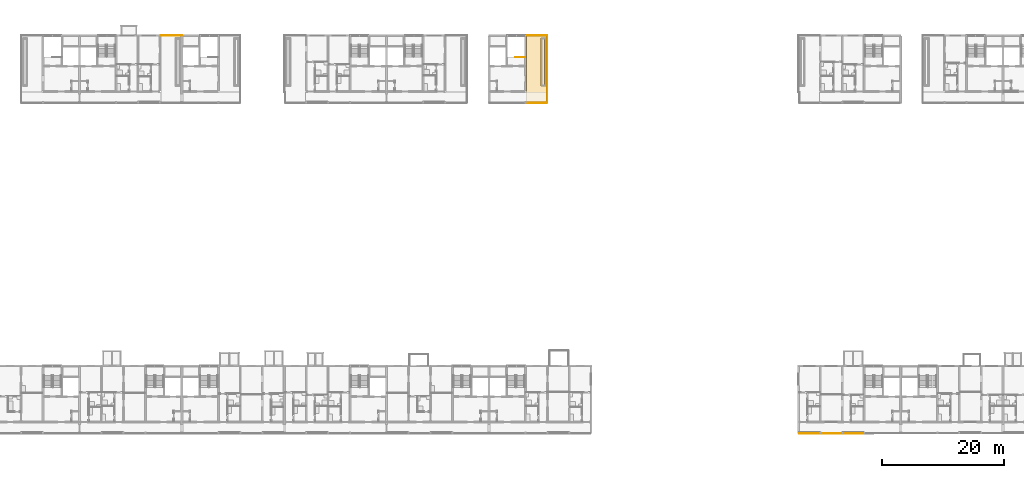
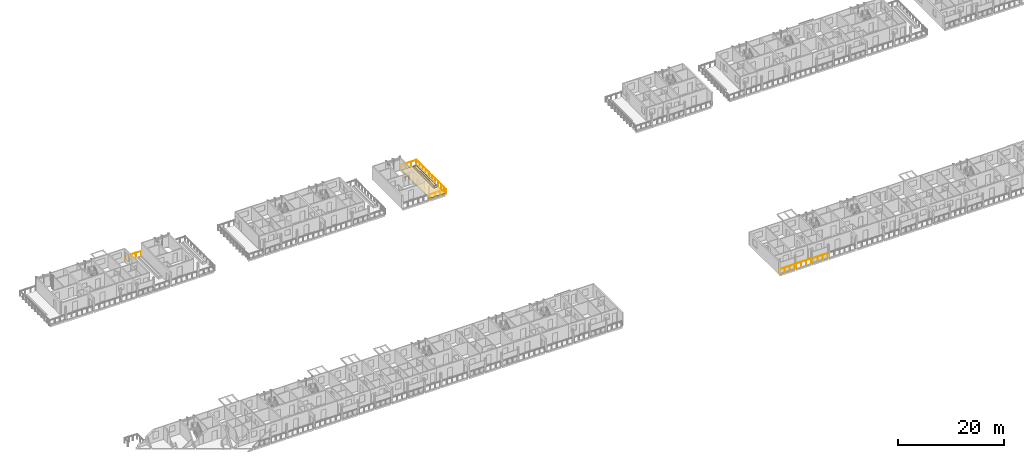
# One storey, part 82 of 94: 8 railings, 3 coverings.
"""IFC4 building model written with IfcOpenShell, lengths in metres."""

from ifc_helpers import new_model, si_unit, direction, frame, origin, origin_2d, place, context, subcontext, project, spatial, polyline, circle, outline, extrude, material, layer, layer_set, type_object, element, save


model = new_model("IFC4")

# Units and contexts
model_context = context("Model", 3, precision=1e-05, world=origin(), true_north=direction((0.0, 1.0)))
body_context = subcontext(model_context, "Body", "Model", "MODEL_VIEW")
ifc_project = project(units=[si_unit("LENGTHUNIT", "METRE"), si_unit("AREAUNIT", "SQUARE_METRE"), si_unit("VOLUMEUNIT", "CUBIC_METRE"), si_unit("PLANEANGLEUNIT", "RADIAN"), si_unit("MASSUNIT", "GRAM", prefix="KILO")], contexts=[model_context])

# Site, building, storey
site_placement = place(None, origin())
site = spatial("IfcSite", under=ifc_project, at=site_placement, CompositionType="ELEMENT")
building_placement = place(site_placement, origin())
building = spatial("IfcBuilding", under=site, at=building_placement, Name="Ridgestep Commons", CompositionType="ELEMENT")
storey_placement = place(building_placement, frame((0.0, 0.0, 24.0)))
storey = spatial("IfcBuildingStorey", under=building, at=storey_placement, Name="L08", CompositionType="ELEMENT", Elevation=24.0)

# Railings
ifc_material_1 = material(Name="Structural steel S355JR", Category="steel")
railing_type_1 = type_object("IfcRailingType", Name="Guard 1100", PredefinedType="GUARDRAIL", material=ifc_material_1)
railing_1_placement = place(storey_placement, frame((45.60009765625, 77.125, 0.0)))
element("IfcRailing", 1, at=railing_1_placement, inside=storey, type_object=railing_type_1, Name="Guard TD-B2R1-GD", PredefinedType="GUARDRAIL", context=body_context, shape_type="SweptSolid", body=[
    extrude(circle(Radius=0.02392578125, at=origin_2d()), frame((0.0, 0.0, 1.076171875), z_axis=(-1.0, 0.0, 0.0), x_axis=(0.0, -1.0, 0.0)), (0.0, 0.0, 1.0), 3.47900390625),
    extrude(circle(Radius=0.02099609375, at=origin_2d()), origin(), (0.0, 0.0, 1.0), 1.052001953125),
    extrude(circle(Radius=0.02099609375, at=origin_2d()), frame((-1.15966796875, 0.0, 0.0)), (0.0, 0.0, 1.0), 1.052001953125),
    extrude(circle(Radius=0.02099609375, at=origin_2d()), frame((-2.3193359375, 0.0, 0.0)), (0.0, 0.0, 1.0), 1.052001953125),
    extrude(circle(Radius=0.02099609375, at=origin_2d()), frame((-3.47900390625, 0.0, 0.0)), (0.0, 0.0, 1.0), 1.052001953125),
])
railing_2_placement = place(storey_placement, frame((105.5791015625, 67.821044921875, 0.0)))
element("IfcRailing", 2, at=railing_2_placement, inside=storey, type_object=railing_type_1, Name="Guard TD-B6R3-GD", PredefinedType="GUARDRAIL", context=body_context, shape_type="SweptSolid", body=[
    extrude(circle(Radius=0.02392578125, at=origin_2d()), frame((0.0, 0.0, 1.076171875), z_axis=(0.0, 1.0, 0.0), x_axis=(-1.0, 0.0, 0.0)), (0.0, 0.0, 1.0), 9.303955078125),
    extrude(circle(Radius=0.02392578125, at=origin_2d()), frame((0.0, 9.303955078125, 1.076171875), z_axis=(-1.0, 0.0, 0.0), x_axis=(0.0, -1.0, 0.0)), (0.0, 0.0, 1.0), 3.43310546875),
    extrude(circle(Radius=0.02099609375, at=origin_2d()), origin(), (0.0, 0.0, 1.0), 1.052001953125),
    extrude(circle(Radius=0.02099609375, at=origin_2d()), frame((0.0, 1.1630859375, 0.0)), (0.0, 0.0, 1.0), 1.052001953125),
    extrude(circle(Radius=0.02099609375, at=origin_2d()), frame((0.0, 2.325927734375, 0.0)), (0.0, 0.0, 1.0), 1.052001953125),
    extrude(circle(Radius=0.02099609375, at=origin_2d()), frame((0.0, 3.489013671875, 0.0)), (0.0, 0.0, 1.0), 1.052001953125),
    extrude(circle(Radius=0.02099609375, at=origin_2d()), frame((0.0, 4.65185546875, 0.0)), (0.0, 0.0, 1.0), 1.052001953125),
    extrude(circle(Radius=0.02099609375, at=origin_2d()), frame((0.0, 5.81494140625, 0.0)), (0.0, 0.0, 1.0), 1.052001953125),
    extrude(circle(Radius=0.02099609375, at=origin_2d()), frame((0.0, 6.97802734375, 0.0)), (0.0, 0.0, 1.0), 1.052001953125),
    extrude(circle(Radius=0.02099609375, at=origin_2d()), frame((0.0, 8.140869140625, 0.0)), (0.0, 0.0, 1.0), 1.052001953125),
    extrude(circle(Radius=0.02099609375, at=origin_2d()), frame((0.0, 9.303955078125, 0.0)), (0.0, 0.0, 1.0), 1.052001953125),
    extrude(circle(Radius=0.02099609375, at=origin_2d()), frame((-1.144287109375, 9.303955078125, 0.0)), (0.0, 0.0, 1.0), 1.052001953125),
    extrude(circle(Radius=0.02099609375, at=origin_2d()), frame((-2.288818359375, 9.303955078125, 0.0)), (0.0, 0.0, 1.0), 1.052001953125),
    extrude(circle(Radius=0.02099609375, at=origin_2d()), frame((-3.43310546875, 9.303955078125, 0.0)), (0.0, 0.0, 1.0), 1.052001953125),
])
railing_3_placement = place(storey_placement, frame((146.970947265625, 11.800048828125, 0.0)))
element("IfcRailing", 3, at=railing_3_placement, inside=storey, type_object=railing_type_1, Name="Gallery guard D 08.1", PredefinedType="GUARDRAIL", context=body_context, shape_type="SweptSolid", body=[
    extrude(circle(Radius=0.02392578125, at=origin_2d()), frame((0.0, 0.0, 1.076171875), z_axis=(1.0, 0.0, 0.0), x_axis=(0.0, 1.0, 0.0)), (0.0, 0.0, 1.0), 3.282958984375),
    extrude(circle(Radius=0.02099609375, at=origin_2d()), origin(), (0.0, 0.0, 1.0), 1.052001953125),
    extrude(circle(Radius=0.02099609375, at=origin_2d()), frame((1.09423828125, 0.0, 0.0)), (0.0, 0.0, 1.0), 1.052001953125),
    extrude(circle(Radius=0.02099609375, at=origin_2d()), frame((2.188720703125, 0.0, 0.0)), (0.0, 0.0, 1.0), 1.052001953125),
    extrude(circle(Radius=0.02099609375, at=origin_2d()), frame((3.282958984375, 0.0, 0.0)), (0.0, 0.0, 1.0), 1.052001953125),
])
for number, where, name in (
    (4, (150.5458984375, 11.800048828125, 0.0), "Gallery guard D 08.2"),
    (5, (154.14599609375, 11.800048828125, 0.0), "Gallery guard D 08.3"),
):
    element("IfcRailing", number, at=place(storey_placement, frame(where)), inside=storey, type_object=railing_type_1, Name=name, PredefinedType="GUARDRAIL", context=body_context, shape_type="SweptSolid", body=[
        extrude(circle(Radius=0.02392578125, at=origin_2d()), frame((0.0, 0.0, 1.076171875), z_axis=(1.0, 0.0, 0.0), x_axis=(0.0, 1.0, 0.0)), (0.0, 0.0, 1.0), 3.30810546875),
        extrude(circle(Radius=0.02099609375, at=origin_2d()), origin(), (0.0, 0.0, 1.0), 1.052001953125),
        extrude(circle(Radius=0.02099609375, at=origin_2d()), frame((1.102783203125, 0.0, 0.0)), (0.0, 0.0, 1.0), 1.052001953125),
        extrude(circle(Radius=0.02099609375, at=origin_2d()), frame((2.205322265625, 0.0, 0.0)), (0.0, 0.0, 1.0), 1.052001953125),
        extrude(circle(Radius=0.02099609375, at=origin_2d()), frame((3.30810546875, 0.0, 0.0)), (0.0, 0.0, 1.0), 1.052001953125),
    ])
railing_4_placement = place(storey_placement, frame((102.14599609375, 66.050048828125, 0.0)))
element("IfcRailing", 6, at=railing_4_placement, inside=storey, type_object=railing_type_1, Name="Gallery guard B 08.2", PredefinedType="GUARDRAIL", context=body_context, shape_type="SweptSolid", body=[
    extrude(circle(Radius=0.02392578125, at=origin_2d()), frame((0.0, 0.0, 1.076171875), z_axis=(1.0, 0.0, 0.0), x_axis=(0.0, 1.0, 0.0)), (0.0, 0.0, 1.0), 3.3701171875),
    extrude(circle(Radius=0.02099609375, at=origin_2d()), origin(), (0.0, 0.0, 1.0), 1.052001953125),
    extrude(circle(Radius=0.02099609375, at=origin_2d()), frame((1.123291015625, 0.0, 0.0)), (0.0, 0.0, 1.0), 1.052001953125),
    extrude(circle(Radius=0.02099609375, at=origin_2d()), frame((2.246826171875, 0.0, 0.0)), (0.0, 0.0, 1.0), 1.052001953125),
    extrude(circle(Radius=0.02099609375, at=origin_2d()), frame((3.3701171875, 0.0, 0.0)), (0.0, 0.0, 1.0), 1.052001953125),
])
railing_5_placement = place(storey_placement, frame((105.5791015625, 66.050048828125, 0.0)))
element("IfcRailing", 7, at=railing_5_placement, inside=storey, type_object=railing_type_1, Name="Gallery end guard B 08.2E", PredefinedType="GUARDRAIL", context=body_context, shape_type="SweptSolid", body=[
    extrude(circle(Radius=0.02392578125, at=origin_2d()), frame((0.0, 0.0, 1.076171875), z_axis=(0.0, 1.0, 0.0), x_axis=(-1.0, 0.0, 0.0)), (0.0, 0.0, 1.0), 1.72900390625),
    extrude(circle(Radius=0.02099609375, at=origin_2d()), origin(), (0.0, 0.0, 1.0), 1.052001953125),
    extrude(circle(Radius=0.02099609375, at=origin_2d()), frame((0.0, 0.864501953125, 0.0)), (0.0, 0.0, 1.0), 1.052001953125),
    extrude(circle(Radius=0.02099609375, at=origin_2d()), frame((0.0, 1.72900390625, 0.0)), (0.0, 0.0, 1.0), 1.052001953125),
])

# Covering
ifc_material_2 = material(Name="Planting soil")
ifc_layer_1 = layer(ifc_material_2, 0.35009765625)
ifc_layer_set_1 = layer_set([ifc_layer_1], Name="Planting soil 350")
covering_type_1 = type_object("IfcCoveringType", Name="Planting soil 350", PredefinedType="FLOORING", material=ifc_layer_set_1)
covering_1_placement = place(storey_placement, frame((0.0, 0.0, 0.010009765625)))
element("IfcCovering", 8, at=covering_1_placement, inside=storey, type_object=covering_type_1, Name="Planting soil B6R3", PredefinedType="FLOORING", context=body_context, shape_type="SweptSolid", body=[
    extrude(outline(polyline([(104.75, 69.0), (105.14990234375, 69.0), (105.14990234375, 76.5), (104.75, 76.5), (104.75, 69.0)])), origin(), (0.0, 0.0, 1.0), 0.35009765625),
])

# Railing
ifc_material_3 = material(Name="Structural steel S355JR", Category="steel")
railing_type_2 = type_object("IfcRailingType", Name="Stair guard 1100", PredefinedType="GUARDRAIL", material=ifc_material_3)
railing_6_placement = place(storey_placement, frame((101.875, 73.550048828125, 0.0)))
element("IfcRailing", 9, at=railing_6_placement, inside=storey, type_object=railing_type_2, Name="L08 B6C top well guard 1", PredefinedType="GUARDRAIL", context=body_context, shape_type="SweptSolid", body=[
    extrude(circle(Radius=0.02392578125, at=origin_2d()), frame((0.0, 0.0, 1.076171875), z_axis=(-1.0, 0.0, 0.0), x_axis=(0.0, -1.0, 0.0)), (0.0, 0.0, 1.0), 1.5),
    extrude(circle(Radius=0.02099609375, at=origin_2d()), origin(), (0.0, 0.0, 1.0), 1.052001953125),
    extrude(circle(Radius=0.02099609375, at=origin_2d()), frame((-0.75, 0.0, 0.0)), (0.0, 0.0, 1.0), 1.052001953125),
    extrude(circle(Radius=0.02099609375, at=origin_2d()), frame((-1.5, 0.0, 0.0)), (0.0, 0.0, 1.0), 1.052001953125),
])

# Coverings
ifc_material_4 = material(Name="Bitumen membrane, two layer")
ifc_layer_2 = layer(ifc_material_4, 0.010009765625)
ifc_layer_set_2 = layer_set([ifc_layer_2], Name="Terrace membrane 10")
covering_type_2 = type_object("IfcCoveringType", Name="Terrace membrane 10", PredefinedType="ROOFING", material=ifc_layer_set_2)
covering_2_placement = place(storey_placement, origin())
element("IfcCovering", 10, at=covering_2_placement, inside=storey, type_object=covering_type_2, Name="Terrace membrane B6R3", PredefinedType="ROOFING", context=body_context, shape_type="SweptSolid", body=[
    extrude(outline(polyline([(105.47509765625, 66.25), (105.47509765625, 77.0), (102.14990234375, 77.0), (102.14990234375, 66.25), (105.47509765625, 66.25)]), holes=[polyline([(105.35009765625, 68.800048828125), (105.35009765625, 76.699951171875), (104.550048828125, 76.699951171875), (104.550048828125, 68.800048828125), (105.35009765625, 68.800048828125)])]), origin(), (0.0, 0.0, 1.0), 0.010009765625),
])
ifc_material_5 = material(Name="Concrete paving slab", Category="concrete")
ifc_layer_3 = layer(ifc_material_5, 0.030029296875)
ifc_layer_set_3 = layer_set([ifc_layer_3], Name="Terrace paving 30")
covering_type_3 = type_object("IfcCoveringType", Name="Terrace paving 30", PredefinedType="FLOORING", material=ifc_layer_set_3)
covering_3_placement = place(storey_placement, frame((0.0, 0.0, 0.010009765625)))
element("IfcCovering", 11, at=covering_3_placement, inside=storey, type_object=covering_type_3, Name="Terrace paving B6R3", PredefinedType="FLOORING", context=body_context, shape_type="SweptSolid", body=[
    extrude(outline(polyline([(105.47509765625, 66.25), (105.47509765625, 77.0), (102.14990234375, 77.0), (102.14990234375, 66.25), (105.47509765625, 66.25)]), holes=[polyline([(105.35009765625, 68.800048828125), (105.35009765625, 76.699951171875), (104.550048828125, 76.699951171875), (104.550048828125, 68.800048828125), (105.35009765625, 68.800048828125)])]), origin(), (0.0, 0.0, 1.0), 0.030029296875),
])

save(model, "model.ifc")
